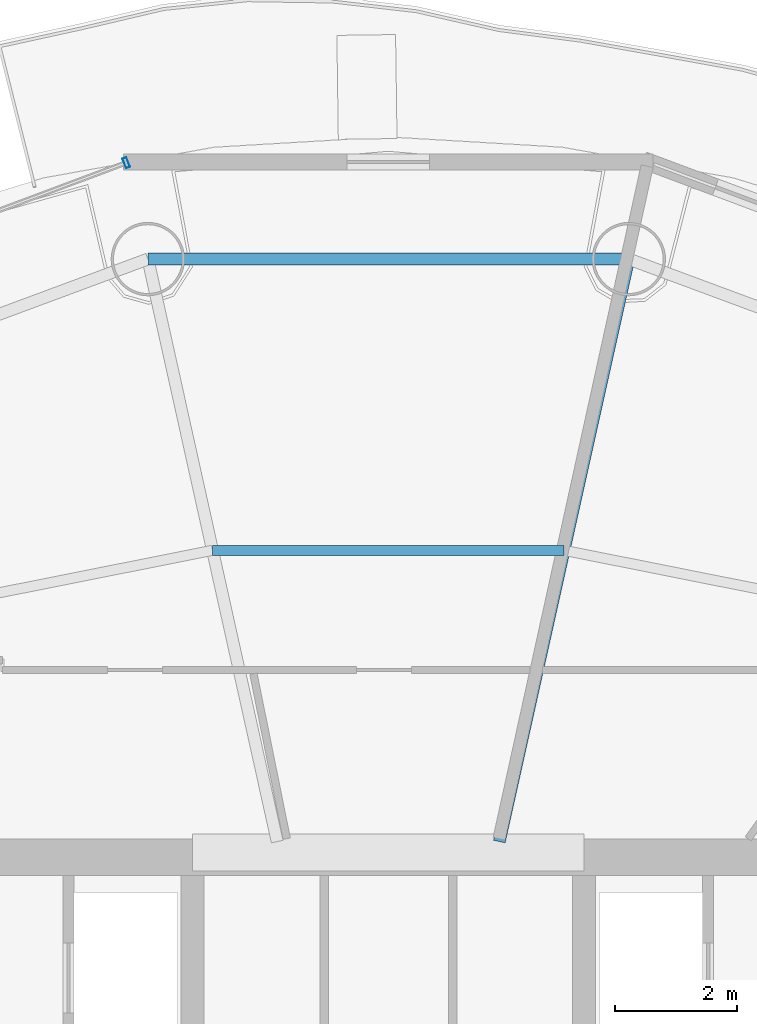
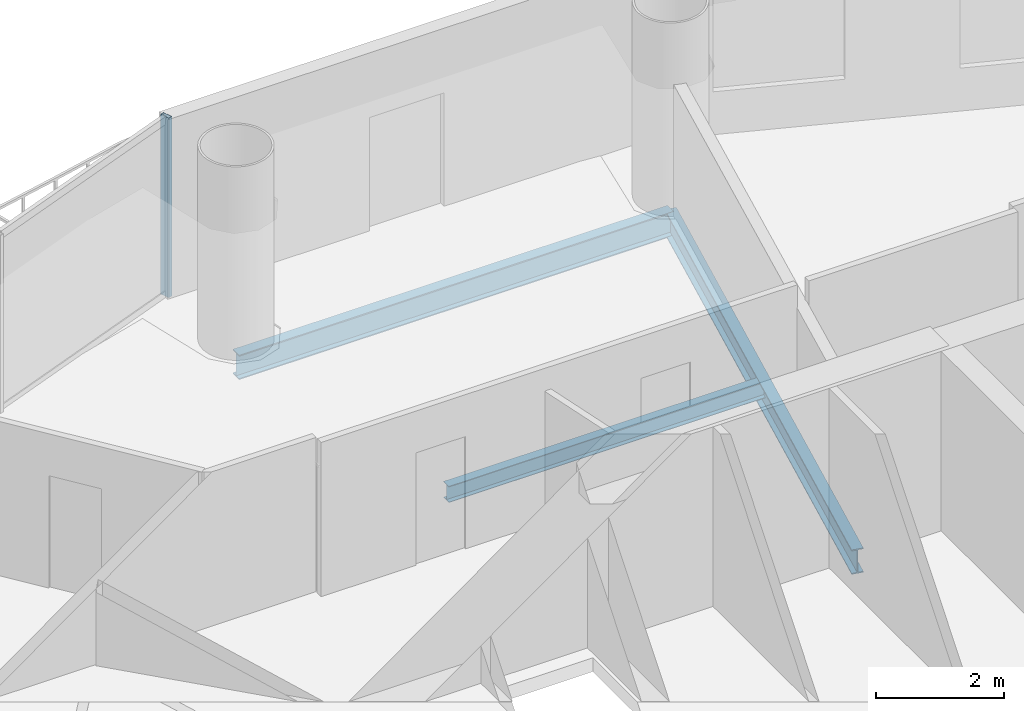
# One storey, part 16 of 26: 3 beams, 1 member, 1 element without a shape of its own.
"""IFC4 building model written with IfcOpenShell, lengths in metres."""

import ifcopenshell
import ifcopenshell.guid

model = None  # the IFC model being written
_history = None  # IfcOwnerHistory: only IFC2X3 demands one
_inside = {}  # id of a spatial element -> (the spatial element, [elements in it])
_under = {}  # id of a project, library or spatial element -> (it, [spatial elements below it])
_declared = {}  # id of a project -> (the project, [libraries it declares])
_typed = {}  # id of a type object -> (the type object, [elements of that type])
_made_of = {}  # id of a material, layer set ... -> (it, [elements and type objects made of it])


def new_model(schema):
    """Start an empty IFC model of exactly this schema.

    Asked for "IFC4X3", IfcOpenShell would pick the latest addendum, in which some entities
    have other attributes; the version numbers below select the first issue.
    IFC2X3 requires an IfcOwnerHistory on every rooted entity: one is made here for all.
    """
    global model, _history
    if schema == "IFC4X3":
        model = ifcopenshell.file(schema_version=(4, 3, 0, 0))
    else:
        model = ifcopenshell.file(schema=schema)
    _inside.clear()
    _under.clear()
    _declared.clear()
    _typed.clear()
    _made_of.clear()
    _history = None
    if model.schema == "IFC2X3":
        org = make("IfcOrganization", Name="unknown")
        user = make(
            "IfcPersonAndOrganization",
            ThePerson=make("IfcPerson", FamilyName="unknown"),
            TheOrganization=org,
        )
        app = make(
            "IfcApplication",
            ApplicationDeveloper=org,
            Version="unknown",
            ApplicationFullName="unknown",
            ApplicationIdentifier="unknown",
        )
        _history = make(
            "IfcOwnerHistory",
            OwningUser=user,
            OwningApplication=app,
            ChangeAction="ADDED",
            CreationDate=0,
        )
    return model


def make(cls, **values):
    """One entity of the class cls with the attributes given. An attribute that is None is left unset."""
    return model.create_entity(
        cls, **{name: value for name, value in values.items() if value is not None}
    )


def rooted(cls, **values):
    """An entity with a GlobalId (a new one), such as an element, a storey or a relation."""
    return make(cls, GlobalId=ifcopenshell.guid.new(), OwnerHistory=_history, **values)


def si_unit(unit_type, name, prefix=None):
    """IfcSIUnit, for example si_unit("LENGTHUNIT", "METRE", prefix="MILLI")."""
    return make("IfcSIUnit", UnitType=unit_type, Prefix=prefix, Name=name)


def assignment(units):
    """IfcUnitAssignment: the units of a project."""
    return None if units is None else make("IfcUnitAssignment", Units=units)


def point(xyz):
    """IfcCartesianPoint."""
    return None if xyz is None else make("IfcCartesianPoint", Coordinates=xyz)


def direction(xyz):
    """IfcDirection."""
    return None if xyz is None else make("IfcDirection", DirectionRatios=xyz)


def frame(location, z_axis=None, x_axis=None):
    """IfcAxis2Placement3D, a coordinate frame: its origin and axes. An axis left out is left unset."""
    return make(
        "IfcAxis2Placement3D",
        Location=point(location),
        Axis=direction(z_axis),
        RefDirection=direction(x_axis),
    )


def frame_2d(location, x_axis=None):
    """IfcAxis2Placement2D, a coordinate frame in the plane: its origin and x axis."""
    return make(
        "IfcAxis2Placement2D", Location=point(location), RefDirection=direction(x_axis)
    )


def origin():
    """The frame at (0, 0, 0) with its axes left unset."""
    return frame((0.0, 0.0, 0.0))


def origin_2d():
    """The frame at (0, 0) in the plane with its x axis left unset."""
    return frame_2d((0.0, 0.0))


def place(relative_to, where):
    """IfcLocalPlacement: puts the frame where relative to a parent placement (None: the world)."""
    return make(
        "IfcLocalPlacement", PlacementRelTo=relative_to, RelativePlacement=where
    )


def context(
    kind, dimensions, precision=None, world=None, true_north=None, identifier=None
):
    """IfcGeometricRepresentationContext, for example the 3D "Model" context."""
    return make(
        "IfcGeometricRepresentationContext",
        ContextIdentifier=identifier,
        ContextType=kind,
        CoordinateSpaceDimension=dimensions,
        Precision=precision,
        WorldCoordinateSystem=world,
        TrueNorth=true_north,
    )


def subcontext(parent, identifier, kind, view, scale=None):
    """IfcGeometricRepresentationSubContext, for example "Body" below "Model"."""
    return make(
        "IfcGeometricRepresentationSubContext",
        ContextIdentifier=identifier,
        ContextType=kind,
        ParentContext=parent,
        TargetScale=scale,
        TargetView=view,
    )


def project(units=None, contexts=None):
    """IfcProject with its units and contexts."""
    return rooted(
        "IfcProject",
        Name="project",
        RepresentationContexts=contexts,
        UnitsInContext=assignment(units),
    )


def spatial(cls, under=None, at=None, **own):
    """A site, building, storey or space (cls), placed at a placement, below another one or the project."""
    s = rooted(cls, ObjectPlacement=at, **own)
    if under is not None:
        _under.setdefault(under.id(), (under, []))[1].append(s)
    return s


def profile(cls, at=None, kind="AREA", **sizes):
    """A parametric profile (cls). Its sizes go by their IFC names, for example OverallWidth=200.0."""
    return make(cls, ProfileType=kind, Position=at, **sizes)


def hollow_rectangle(**sizes):
    """IfcRectangleHollowProfileDef."""
    return profile("IfcRectangleHollowProfileDef", **sizes)


def i_section(**sizes):
    """IfcIShapeProfileDef."""
    return profile("IfcIShapeProfileDef", **sizes)


def extrude(swept, where, along, depth):
    """IfcExtrudedAreaSolid: the profile swept, set in the frame where, extruded along a direction by depth."""
    return make(
        "IfcExtrudedAreaSolid",
        SweptArea=swept,
        Position=where,
        ExtrudedDirection=direction(along),
        Depth=depth,
    )


def shape(context_of_items, identifier, shape_type, items):
    """IfcShapeRepresentation: the items that make up one representation, for example the "Body"."""
    return make(
        "IfcShapeRepresentation",
        ContextOfItems=context_of_items,
        RepresentationIdentifier=identifier,
        RepresentationType=shape_type,
        Items=items,
    )


def source(mapping_origin, context_of_items, identifier, shape_type, items):
    """IfcRepresentationMap: a shape defined once, which mapped items show again and again."""
    return make(
        "IfcRepresentationMap",
        MappingOrigin=mapping_origin,
        MappedRepresentation=shape(context_of_items, identifier, shape_type, items),
    )


def transform(
    local_origin,
    x_axis=None,
    y_axis=None,
    z_axis=None,
    scale=None,
    scale2=None,
    scale3=None,
    uniform=True,
):
    """IfcCartesianTransformationOperator3D, or its non-uniform kind. x_axis, y_axis, z_axis: its Axis1, 2, 3."""
    if uniform:
        return make(
            "IfcCartesianTransformationOperator3D",
            Axis1=direction(x_axis),
            Axis2=direction(y_axis),
            LocalOrigin=point(local_origin),
            Scale=scale,
            Axis3=direction(z_axis),
        )
    return make(
        "IfcCartesianTransformationOperator3DnonUniform",
        Axis1=direction(x_axis),
        Axis2=direction(y_axis),
        LocalOrigin=point(local_origin),
        Scale=scale,
        Axis3=direction(z_axis),
        Scale2=scale2,
        Scale3=scale3,
    )


def mapped(mapping_source, mapping_target):
    """IfcMappedItem: shows the shape of a source again, moved by a transform."""
    return make(
        "IfcMappedItem", MappingSource=mapping_source, MappingTarget=mapping_target
    )


def material(Name=None, Category=None):
    """IfcMaterial."""
    return make("IfcMaterial", Name=Name, Category=Category)


def material_profile(
    of_material, cross_section, Name=None, Category=None, Priority=None
):
    """IfcMaterialProfile: a cross section and its material."""
    return make(
        "IfcMaterialProfile",
        Name=Name,
        Material=of_material,
        Profile=cross_section,
        Priority=Priority,
        Category=Category,
    )


def profile_set(profiles, Name=None, composite=None):
    """IfcMaterialProfileSet."""
    return make(
        "IfcMaterialProfileSet",
        Name=Name,
        MaterialProfiles=profiles,
        CompositeProfile=composite,
    )


def made_of(thing, what):
    """Note that an element or type object is made of a material, layer set ...; save() writes the relation."""
    if what is not None:
        _made_of.setdefault(what.id(), (what, []))[1].append(thing)
    return thing


def type_object(cls, material=None, **own):
    """A type object (cls), such as IfcWallType, which elements share."""
    return made_of(rooted(cls, **own), material)


def element(
    cls,
    number,
    at=None,
    inside=None,
    cuts=None,
    type_object=None,
    material=None,
    context=None,
    identifier="Body",
    shape_type=None,
    held_by="IfcProductDefinitionShape",
    body=None,
    shapes=None,
    **own,
):
    """One element of the class cls, such as IfcWall. Its Tag is "e" and its number.

    at: its placement. inside: the storey or other place that contains it. cuts: it is an
    opening in that element (IfcRelVoidsElement). A single representation is given by context,
    identifier, shape_type and body (its items); several are given by shapes. held_by: the class
    of the entity that holds the representations. save() writes the other relations.
    """
    e = rooted(cls, Tag="e%d" % number, ObjectPlacement=at, **own)
    if body is not None:
        shapes = [shape(context, identifier, shape_type, body)]
    if shapes is not None:
        e.Representation = make(held_by, Representations=shapes)
    if inside is not None:
        _inside.setdefault(inside.id(), (inside, []))[1].append(e)
    if cuts is not None:
        rooted(
            "IfcRelVoidsElement", RelatingBuildingElement=cuts, RelatedOpeningElement=e
        )
    if type_object is not None:
        _typed.setdefault(type_object.id(), (type_object, []))[1].append(e)
    return made_of(e, material)


def aggregate(whole, parts):
    """IfcRelAggregates: a whole, such as a stair, and the parts it consists of."""
    return rooted("IfcRelAggregates", RelatingObject=whole, RelatedObjects=parts)


def save(model, path):
    """Write the relations noted so far, then the file.

    IfcRelAggregates (storeys below a building ...), IfcRelContainedInSpatialStructure (elements
    in a storey), IfcRelDefinesByType, IfcRelAssociatesMaterial and IfcRelDeclares: one each for
    every whole, place, type object, material and project.
    """
    for whole, parts in _under.values():
        aggregate(whole, parts)
    for where, things in _inside.values():
        rooted(
            "IfcRelContainedInSpatialStructure",
            RelatedElements=things,
            RelatingStructure=where,
        )
    for kind, things in _typed.values():
        rooted("IfcRelDefinesByType", RelatedObjects=things, RelatingType=kind)
    for what, things in _made_of.values():
        rooted("IfcRelAssociatesMaterial", RelatedObjects=things, RelatingMaterial=what)
    for by, libraries in _declared.values():
        rooted("IfcRelDeclares", RelatingContext=by, RelatedDefinitions=libraries)
    model.write(path)


model = new_model("IFC4")

# Units and contexts
model_context = context("Model", 3, precision=1e-05, world=origin(), true_north=direction((-0.2419218956, 0.970295726276)))
body_context = subcontext(model_context, "Body", "Model", "MODEL_VIEW")
ifc_project = project(units=[si_unit("LENGTHUNIT", "METRE"), si_unit("AREAUNIT", "SQUARE_METRE"), si_unit("VOLUMEUNIT", "CUBIC_METRE"), si_unit("PLANEANGLEUNIT", "RADIAN"), si_unit("MASSUNIT", "GRAM", prefix="KILO")], contexts=[model_context])

# Site, building, storey
site_placement = place(None, origin())
site = spatial("IfcSite", under=ifc_project, at=site_placement, CompositionType="ELEMENT")
building_placement = place(site_placement, origin())
building = spatial("IfcBuilding", under=site, at=building_placement, Name="Cobrevalo Terracotta Tower", CompositionType="ELEMENT")
storey_placement = place(building_placement, frame((0.0, 0.0, 217.10009765625)))
storey = spatial("IfcBuildingStorey", under=building, at=storey_placement, Name="L57", CompositionType="ELEMENT", Elevation=217.10009765625)

# Beams
ifc_material_1 = material(Name="Steel S355", Category="steel")
ifc_material_profile_1 = material_profile(ifc_material_1, i_section(OverallWidth=0.194091796875, OverallDepth=0.468994140625, WebThickness=0.011474609375, FlangeThickness=0.0205078125, at=origin_2d()), Name="W 460x106")
ifc_profile_set_1 = profile_set([ifc_material_profile_1], Name="Steel S355")
beam_type_1 = type_object("IfcBeamType", Name="Structural Beam W 460x106 (Steel S355)", PredefinedType="BEAM", material=ifc_profile_set_1)
beam_1_placement = place(storey_placement, frame((41.93115234375, 44.503173828125, -0.49951171875), z_axis=(-0.216782061165, -0.976220025382, 0.0), x_axis=(0.976220025382, -0.216782061165, 0.0)))
element("IfcBeam", 1, at=beam_1_placement, inside=storey, type_object=beam_type_1, Name="L57 radial floor girder 04", PredefinedType="BEAM", context=body_context, shape_type="SweptSolid", body=[
    extrude(i_section(OverallWidth=0.194091796875, OverallDepth=0.468994140625, WebThickness=0.011474609375, FlangeThickness=0.0205078125, at=origin_2d()), origin(), (0.0, 0.0, 1.0), 9.755126953125),
])
ifc_material_profile_2 = material_profile(ifc_material_1, i_section(OverallWidth=0.1650390625, OverallDepth=0.31005859375, WebThickness=0.005859375, FlangeThickness=0.009765625, at=origin_2d()), Name="W 310x38.7")
ifc_profile_set_2 = profile_set([ifc_material_profile_2], Name="Steel S355")
beam_type_2 = type_object("IfcBeamType", Name="Structural Joist W 310x38.7 (Steel S355)", PredefinedType="JOIST", material=ifc_profile_set_2)
beam_2_placement = place(storey_placement, frame((40.873779296875, 39.74169921875, -0.420166015625), z_axis=(-1.0, 0.0, 0.0), x_axis=(0.0, -1.0, 0.0)))
element("IfcBeam", 2, at=beam_2_placement, inside=storey, type_object=beam_type_2, Name="L57 circumferential secondary floor joist 04", PredefinedType="JOIST", context=body_context, shape_type="SweptSolid", body=[
    extrude(i_section(OverallWidth=0.1650390625, OverallDepth=0.31005859375, WebThickness=0.005859375, FlangeThickness=0.009765625, at=origin_2d()), origin(), (0.0, 0.0, 1.0), 5.74755859375),
])
ifc_material_profile_3 = material_profile(ifc_material_1, i_section(OverallWidth=0.194091796875, OverallDepth=0.468994140625, WebThickness=0.011474609375, FlangeThickness=0.0205078125, at=origin_2d()), Name="W 460x106")
ifc_profile_set_3 = profile_set([ifc_material_profile_3], Name="Steel S355")
beam_type_3 = type_object("IfcBeamType", Name="Structural Spandrel W 460x106 (Steel S355)", PredefinedType="SPANDREL", material=ifc_profile_set_3)
beam_3_placement = place(storey_placement, frame((41.93115234375, 44.503173828125, -0.49951171875), z_axis=(-1.0, 0.0, 0.0), x_axis=(0.0, -1.0, 0.0)))
element("IfcBeam", 3, at=beam_3_placement, inside=storey, type_object=beam_type_3, Name="L57 perimeter ring spandrel 04", PredefinedType="SPANDREL", context=body_context, shape_type="SweptSolid", body=[
    extrude(i_section(OverallWidth=0.194091796875, OverallDepth=0.468994140625, WebThickness=0.011474609375, FlangeThickness=0.0205078125, at=origin_2d()), origin(), (0.0, 0.0, 1.0), 7.8623046875),
])

# Curtain wall, member
ifc_material_2 = material(Name="Anodized aluminium", Category="aluminium")
curtain_wall_type = type_object("IfcCurtainWallType", Name="Mid-tower high-wind unitised curtain wall CW-U2", PredefinedType="NOTDEFINED", material=ifc_material_2)
curtain_wall_placement = place(storey_placement, origin())
curtain_wall = element("IfcCurtainWall", 4, at=curtain_wall_placement, inside=storey, type_object=curtain_wall_type, Name="L57 curtain wall CW-L57-S05", PredefinedType="NOTDEFINED")
ifc_material_profile_4 = material_profile(ifc_material_2, hollow_rectangle(XDim=0.070068359375, YDim=0.169921875, WallThickness=0.00439453125, at=origin_2d()), Name="CWM 70x170")
ifc_profile_set_4 = profile_set([ifc_material_profile_4], Name="Anodized aluminium")
member_type = type_object("IfcMemberType", Name="Upper tower unitised mullion 70x170", PredefinedType="MULLION", material=ifc_profile_set_4)
shared_shape = source(origin(), body_context, "Body", "SweptSolid", [
    extrude(hollow_rectangle(XDim=0.070068359375, YDim=0.169921875, WallThickness=0.00439453125, at=origin_2d()), origin(), (0.0, 0.0, 1.0), 3.434814453125),
])
member_placement = place(storey_placement, frame((33.71533203125, 46.078125, 0.0), z_axis=(0.0, 0.0, 1.0), x_axis=(-0.936556004584, -0.350517974259, 0.0)))
member = element("IfcMember", 5, at=member_placement, type_object=member_type, Name="CW-L57-S05 vertical mullion 01", PredefinedType="MULLION", context=body_context, shape_type="MappedRepresentation", body=[
    mapped(shared_shape, transform((0.0, 0.0, 0.0), scale=1.0)),
])
aggregate(curtain_wall, [member])

save(model, "model.ifc")
